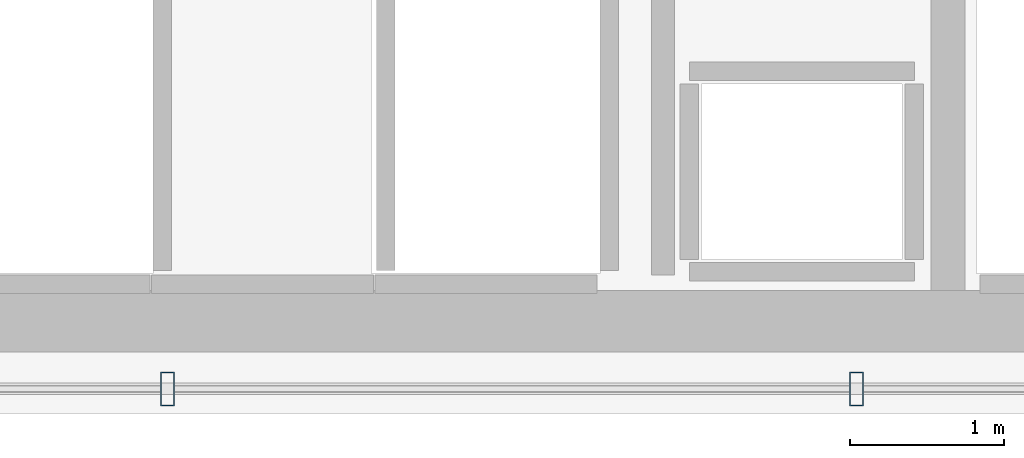
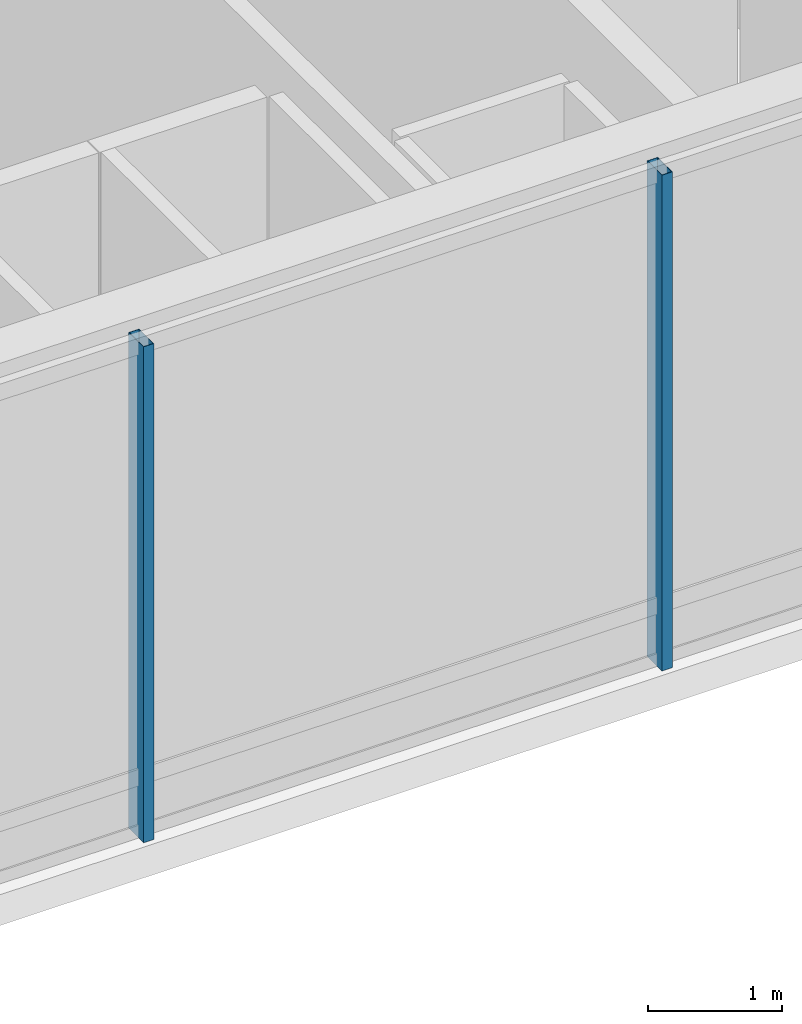
# One storey, part 7 of 25: 2 members, 1 element without a shape of its own.
"""IFC4 building model written with IfcOpenShell, lengths in metres."""

from ifc_helpers import new_model, si_unit, direction, frame, origin, origin_2d, place, context, subcontext, project, spatial, hollow_rectangle, extrude, material, layer, layer_set, material_profile, profile_set, type_object, element, aggregate, save


model = new_model("IFC4")

# Units and contexts
model_context = context("Model", 3, precision=1e-05, world=origin(), true_north=direction((0.0, 1.0)))
body_context = subcontext(model_context, "Body", "Model", "MODEL_VIEW")
ifc_project = project(units=[si_unit("LENGTHUNIT", "METRE"), si_unit("AREAUNIT", "SQUARE_METRE"), si_unit("VOLUMEUNIT", "CUBIC_METRE"), si_unit("PLANEANGLEUNIT", "RADIAN"), si_unit("MASSUNIT", "GRAM", prefix="KILO")], contexts=[model_context])

# Site, building, storey
site_placement = place(None, origin())
site = spatial("IfcSite", under=ifc_project, at=site_placement, CompositionType="ELEMENT")
building_placement = place(site_placement, origin())
building = spatial("IfcBuilding", under=site, at=building_placement, Name="Ndaravel Arena Tower", CompositionType="ELEMENT")
storey_placement = place(building_placement, frame((0.0, 0.0, 298.5)))
storey = spatial("IfcBuildingStorey", under=building, at=storey_placement, Name="L73", CompositionType="ELEMENT", Elevation=298.5)

# Curtain wall, members
ifc_material_1 = material(Name="Aluminium", Category="aluminium")
ifc_layer = layer(ifc_material_1, 0.179931640625)
ifc_layer_set = layer_set([ifc_layer], Name="Aluminium")
curtain_wall_type = type_object("IfcCurtainWallType", Name="CW-SYS-04", PredefinedType="NOTDEFINED", material=ifc_layer_set)
curtain_wall_placement = place(storey_placement, origin())
curtain_wall = element("IfcCurtainWall", 1, at=curtain_wall_placement, inside=storey, type_object=curtain_wall_type, Name="L73 Faceted Crystal Curtain Wall CW-L73-E01", PredefinedType="NOTDEFINED")
ifc_material_2 = material(Name="Aluminium", Category="aluminium")
ifc_material_profile = material_profile(ifc_material_2, hollow_rectangle(XDim=0.090087890625, YDim=0.219970703125, WallThickness=0.0048828125, at=origin_2d()), Name="CW MULLION 90x220x5")
ifc_profile_set = profile_set([ifc_material_profile], Name="Aluminium")
member_type = type_object("IfcMemberType", Name="MEM-CW-MUL220", PredefinedType="MULLION", material=ifc_profile_set)
member_1_placement = place(storey_placement, frame((44.235107421875, 5.159912109375, 0.0), z_axis=(0.0, 0.0, 1.0), x_axis=(1.0, 0.0, 0.0)))
member_1 = element("IfcMember", 2, at=member_1_placement, type_object=member_type, Name="CW-L73-E01 Mullion 05", PredefinedType="MULLION", context=body_context, shape_type="SweptSolid", body=[
    extrude(hollow_rectangle(XDim=0.090087890625, YDim=0.219970703125, WallThickness=0.0048828125, at=origin_2d()), origin(), (0.0, 0.0, 1.0), 4.52001953125),
])
member_2_placement = place(storey_placement, frame((48.705078125, 5.159912109375, 0.0), z_axis=(0.0, 0.0, 1.0), x_axis=(1.0, 0.0, 0.0)))
member_2 = element("IfcMember", 3, at=member_2_placement, type_object=member_type, Name="CW-L73-E01 Mullion 06", PredefinedType="MULLION", context=body_context, shape_type="SweptSolid", body=[
    extrude(hollow_rectangle(XDim=0.090087890625, YDim=0.219970703125, WallThickness=0.0048828125, at=origin_2d()), origin(), (0.0, 0.0, 1.0), 4.52001953125),
])
aggregate(curtain_wall, [member_1, member_2])

save(model, "model.ifc")
